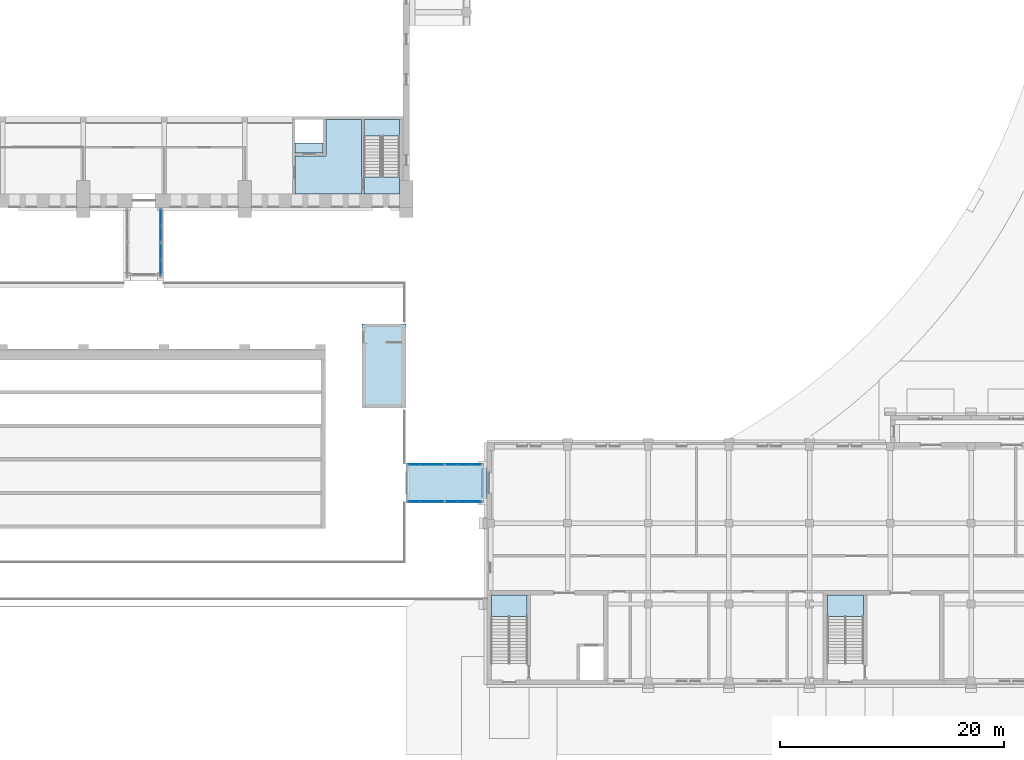
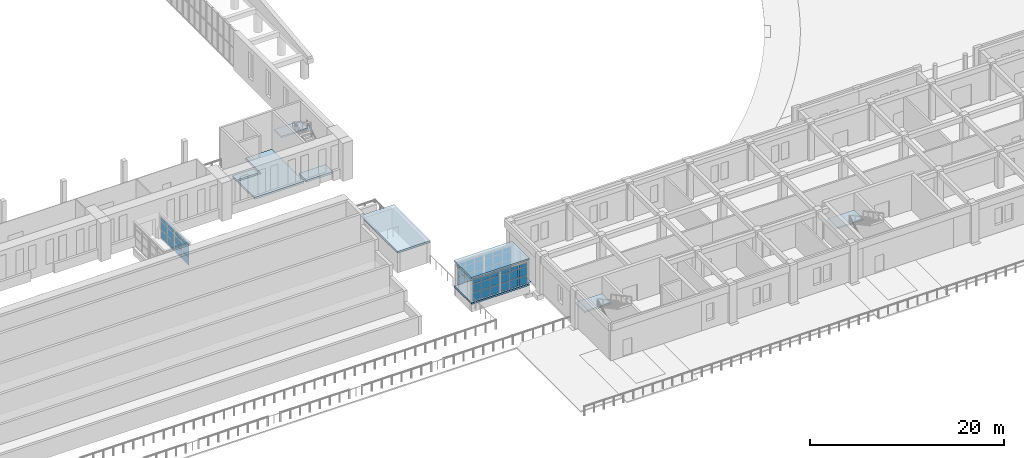
# One storey, part 68 of 131: 49 plates, 9 slabs, 9 elements without a shape of their own.
"""IFC4 building model written with IfcOpenShell, lengths in metres."""

from ifc_helpers import new_model, si_unit, direction, frame, origin, origin_2d, place, context, subcontext, project, spatial, polyline, rectangle, outline, extrude, material, layer, layer_set, type_object, element, aggregate, save


model = new_model("IFC4")

# Units and contexts
model_context = context("Model", 3, precision=1e-05, world=origin(), true_north=direction((0.0, 1.0)))
body_context = subcontext(model_context, "Body", "Model", "MODEL_VIEW")
ifc_project = project(units=[si_unit("LENGTHUNIT", "METRE"), si_unit("AREAUNIT", "SQUARE_METRE"), si_unit("VOLUMEUNIT", "CUBIC_METRE"), si_unit("PLANEANGLEUNIT", "RADIAN"), si_unit("MASSUNIT", "GRAM", prefix="KILO")], contexts=[model_context])

# Site, building, storey
site_placement = place(None, origin())
site = spatial("IfcSite", under=ifc_project, at=site_placement, CompositionType="ELEMENT")
building_placement = place(site_placement, origin())
building = spatial("IfcBuilding", under=site, at=building_placement, Name="Alderwick Market Hall", CompositionType="ELEMENT")
storey_placement = place(building_placement, frame((0.0, 0.0, 4.800048828125)))
storey = spatial("IfcBuildingStorey", under=building, at=storey_placement, Name="L00", CompositionType="ELEMENT", Elevation=4.800048828125)

# Slab
ifc_material_1 = material(Name="Concrete 4000 psi (f'c 28 MPa)", Category="concrete")
ifc_layer_1 = layer(ifc_material_1, 0.199951171875)
ifc_layer_set_1 = layer_set([ifc_layer_1], Name="Concrete 4000 psi (f'c 28 MPa)")
slab_type_1 = type_object("IfcSlabType", Name="A Head-house Roof Slab 200", PredefinedType="ROOF", material=ifc_layer_set_1)
slab_1_placement = place(storey_placement, frame((0.0, 0.0, 2.5)))
element("IfcSlab", 1, at=slab_1_placement, inside=storey, type_object=slab_type_1, Name="A.S.hh.E.roof", PredefinedType="ROOF", context=body_context, shape_type="SweptSolid", body=[
    extrude(outline(polyline([(147.25, 31.8798828125), (151.199951171875, 31.8798828125), (151.199951171875, 39.39990234375), (147.25, 39.39990234375), (147.25, 31.8798828125)])), origin(), (0.0, 0.0, 1.0), 0.199951171875),
])

# Stair, slab
ifc_material_2 = material(Name="Concrete 5000 psi (f'c 35 MPa)", Category="concrete")
stair_type_1 = type_object("IfcStairType", Name="C Exit Stair 1600", PredefinedType="HALF_TURN_STAIR", material=ifc_material_2)
stair_1_placement = place(storey_placement, origin())
stair_1 = element("IfcStair", 2, at=stair_1_placement, inside=storey, type_object=stair_type_1, Name="C.stair.L00.A", PredefinedType="HALF_TURN_STAIR")
ifc_layer_2 = layer(ifc_material_2, 0.199951171875)
ifc_layer_set_2 = layer_set([ifc_layer_2], Name="Concrete 5000 psi (f'c 35 MPa)")
slab_type_2 = type_object("IfcSlabType", Name="C Stair Landing Concrete 5000 psi 200", PredefinedType="LANDING", material=ifc_layer_set_2)
slab_2_placement = place(storey_placement, frame((0.0, 0.0, 2.199951171875)))
slab_2 = element("IfcSlab", 3, at=slab_2_placement, type_object=slab_type_2, Name="C-ST-A-L00 landing 1", PredefinedType="LANDING", context=body_context, shape_type="SweptSolid", body=[
    extrude(outline(polyline([(158.800048828125, 15.199951171875), (162.0, 15.199951171875), (162.0, 13.300048828125), (158.800048828125, 13.300048828125), (158.800048828125, 15.199951171875)])), origin(), (0.0, 0.0, 1.0), 0.199951171875),
])
aggregate(stair_1, [slab_2])

stair_2_placement = place(storey_placement, origin())
stair_2 = element("IfcStair", 4, at=stair_2_placement, inside=storey, type_object=stair_type_1, Name="C.stair.L00.B", PredefinedType="HALF_TURN_STAIR")
slab_3_placement = place(storey_placement, frame((0.0, 0.0, 2.199951171875)))
slab_3 = element("IfcSlab", 5, at=slab_3_placement, type_object=slab_type_2, Name="C-ST-B-L00 landing 1", PredefinedType="LANDING", context=body_context, shape_type="SweptSolid", body=[
    extrude(outline(polyline([(188.800048828125, 15.199951171875), (192.0, 15.199951171875), (192.0, 13.300048828125), (188.800048828125, 13.300048828125), (188.800048828125, 15.199951171875)])), origin(), (0.0, 0.0, 1.0), 0.199951171875),
])
aggregate(stair_2, [slab_3])

# Slabs
ifc_layer_3 = layer(ifc_material_1, 0.25)
ifc_layer_set_3 = layer_set([ifc_layer_3], Name="Concrete 4000 psi (f'c 28 MPa)")
slab_type_3 = type_object("IfcSlabType", Name="H Gallery slab 250", PredefinedType="FLOOR", material=ifc_layer_set_3)
slab_4_placement = place(storey_placement, frame((0.0, 0.0, -0.25)))
element("IfcSlab", 6, at=slab_4_placement, inside=storey, type_object=slab_type_3, Name="Core floor H-SE L00", PredefinedType="FLOOR", context=body_context, shape_type="SweptSolid", body=[
    extrude(outline(polyline([(150.60009765625, 51.0), (147.449951171875, 51.0), (147.449951171875, 52.5), (150.60009765625, 52.5), (150.60009765625, 51.0)])), origin(), (0.0, 0.0, 1.0), 0.25),
])
slab_5_placement = place(storey_placement, frame((0.0, 0.0, -0.25)))
element("IfcSlab", 7, at=slab_5_placement, inside=storey, type_object=slab_type_3, Name="Core floor H-SE L00", PredefinedType="FLOOR", context=body_context, shape_type="SweptSolid", body=[
    extrude(outline(polyline([(141.300048828125, 54.389892578125), (144.050048828125, 54.389892578125), (144.050048828125, 57.639892578125), (147.199951171875, 57.639892578125), (147.199951171875, 51.0), (141.300048828125, 51.0), (141.300048828125, 54.389892578125)])), origin(), (0.0, 0.0, 1.0), 0.25),
])
slab_6_placement = place(storey_placement, frame((0.0, 0.0, -0.25)))
element("IfcSlab", 8, at=slab_6_placement, inside=storey, type_object=slab_type_3, Name="Core floor H-SE L00", PredefinedType="FLOOR", context=body_context, shape_type="SweptSolid", body=[
    extrude(outline(polyline([(141.300048828125, 55.5400390625), (143.800048828125, 55.5400390625), (143.800048828125, 54.639892578125), (141.300048828125, 54.639892578125), (141.300048828125, 55.5400390625)])), origin(), (0.0, 0.0, 1.0), 0.25),
])

# Stair, slab
stair_type_2 = type_object("IfcStairType", Name="H Stair 1500", PredefinedType="HALF_TURN_STAIR", material=ifc_material_2)
stair_3_placement = place(storey_placement, origin())
stair_3 = element("IfcStair", 9, at=stair_3_placement, inside=storey, type_object=stair_type_2, Name="L00 Exit stair H-SE", PredefinedType="HALF_TURN_STAIR")
ifc_layer_4 = layer(ifc_material_1, 0.199951171875)
ifc_layer_set_4 = layer_set([ifc_layer_4], Name="Concrete 4000 psi (f'c 28 MPa)")
slab_type_4 = type_object("IfcSlabType", Name="H Stair landing 200", PredefinedType="LANDING", material=ifc_layer_set_4)
slab_7_placement = place(storey_placement, frame((0.0, 0.0, 2.199951171875)))
slab_7 = element("IfcSlab", 10, at=slab_7_placement, type_object=slab_type_4, Name="H-SE landing 1", PredefinedType="LANDING", context=body_context, shape_type="SweptSolid", body=[
    extrude(outline(polyline([(150.60009765625, 56.139892578125), (150.60009765625, 57.639892578125), (147.449951171875, 57.639892578125), (147.449951171875, 56.139892578125), (150.60009765625, 56.139892578125)])), origin(), (0.0, 0.0, 1.0), 0.199951171875),
])
aggregate(stair_3, [slab_7])

# Curtain wall, plates
ifc_material_3 = material(Name="Aluminium frame", Category="aluminium")
ifc_layer_5 = layer(ifc_material_3, 0.10009765625)
ifc_layer_set_5 = layer_set([ifc_layer_5], Name="Aluminium frame")
curtain_wall_type = type_object("IfcCurtainWallType", Name="P Curtain Wall 100", PredefinedType="NOTDEFINED", material=ifc_layer_set_5)
curtain_wall_1_placement = place(storey_placement, origin())
curtain_wall_1 = element("IfcCurtainWall", 11, at=curtain_wall_1_placement, inside=storey, type_object=curtain_wall_type, Name="P.P4.cw.b0", PredefinedType="NOTDEFINED")
ifc_material_4 = material(Name="Glass, low-e insulated glazing", Category="glass")
ifc_layer_6 = layer(ifc_material_4, 0.028076171875)
ifc_layer_set_6 = layer_set([ifc_layer_6], Name="Glass, low-e insulated glazing")
plate_type_1 = type_object("IfcPlateType", Name="P Glass Panel 28", PredefinedType="CURTAIN_PANEL", material=ifc_layer_set_6)
plate_1_placement = place(storey_placement, frame((129.300048828125, 44.41552734375, 0.06005859375), z_axis=(0.0, 0.0, 1.0), x_axis=(0.0, 1.0, 0.0)))
plate_1 = element("IfcPlate", 12, at=plate_1_placement, type_object=plate_type_1, Name="P-CW4b0 panel 1.1", PredefinedType="CURTAIN_PANEL", context=body_context, shape_type="SweptSolid", body=[
    extrude(rectangle(XDim=1.35888671875, YDim=0.028076171875, at=origin_2d()), origin(), (0.0, 0.0, 1.0), 1.010009765625),
])
plate_2_placement = place(storey_placement, frame((129.300048828125, 44.41552734375, 1.1298828125), z_axis=(0.0, 0.0, 1.0), x_axis=(0.0, 1.0, 0.0)))
plate_2 = element("IfcPlate", 13, at=plate_2_placement, type_object=plate_type_1, Name="P-CW4b0 panel 1.2", PredefinedType="CURTAIN_PANEL", context=body_context, shape_type="SweptSolid", body=[
    extrude(rectangle(XDim=1.35888671875, YDim=0.028076171875, at=origin_2d()), origin(), (0.0, 0.0, 1.0), 1.0400390625),
])
plate_3_placement = place(storey_placement, frame((129.300048828125, 44.41552734375, 2.22998046875), z_axis=(0.0, 0.0, 1.0), x_axis=(0.0, 1.0, 0.0)))
plate_3 = element("IfcPlate", 14, at=plate_3_placement, type_object=plate_type_1, Name="P-CW4b0 panel 1.3", PredefinedType="CURTAIN_PANEL", context=body_context, shape_type="SweptSolid", body=[
    extrude(rectangle(XDim=1.35888671875, YDim=0.028076171875, at=origin_2d()), origin(), (0.0, 0.0, 1.0), 0.462890625),
])
plate_4_placement = place(storey_placement, frame((129.300048828125, 45.83447265625, 0.06005859375), z_axis=(0.0, 0.0, 1.0), x_axis=(0.0, 1.0, 0.0)))
plate_4 = element("IfcPlate", 15, at=plate_4_placement, type_object=plate_type_1, Name="P-CW4b0 panel 2.1", PredefinedType="CURTAIN_PANEL", context=body_context, shape_type="SweptSolid", body=[
    extrude(rectangle(XDim=1.35888671875, YDim=0.028076171875, at=origin_2d()), origin(), (0.0, 0.0, 1.0), 1.010009765625),
])
plate_5_placement = place(storey_placement, frame((129.300048828125, 45.83447265625, 1.1298828125), z_axis=(0.0, 0.0, 1.0), x_axis=(0.0, 1.0, 0.0)))
plate_5 = element("IfcPlate", 16, at=plate_5_placement, type_object=plate_type_1, Name="P-CW4b0 panel 2.2", PredefinedType="CURTAIN_PANEL", context=body_context, shape_type="SweptSolid", body=[
    extrude(rectangle(XDim=1.35888671875, YDim=0.028076171875, at=origin_2d()), origin(), (0.0, 0.0, 1.0), 1.0400390625),
])
plate_6_placement = place(storey_placement, frame((129.300048828125, 45.83447265625, 2.22998046875), z_axis=(0.0, 0.0, 1.0), x_axis=(0.0, 1.0, 0.0)))
plate_6 = element("IfcPlate", 17, at=plate_6_placement, type_object=plate_type_1, Name="P-CW4b0 panel 2.3", PredefinedType="CURTAIN_PANEL", context=body_context, shape_type="SweptSolid", body=[
    extrude(rectangle(XDim=1.35888671875, YDim=0.028076171875, at=origin_2d()), origin(), (0.0, 0.0, 1.0), 0.462890625),
])
aggregate(curtain_wall_1, [plate_1, plate_2, plate_3, plate_4, plate_5, plate_6])

curtain_wall_2_placement = place(storey_placement, origin())
curtain_wall_2 = element("IfcCurtainWall", 18, at=curtain_wall_2_placement, inside=storey, type_object=curtain_wall_type, Name="P.P4.cw.b1", PredefinedType="NOTDEFINED")
plate_7_placement = place(storey_placement, frame((129.300048828125, 47.465576171875, 0.06005859375), z_axis=(0.0, 0.0, 1.0), x_axis=(0.0, 1.0, 0.0)))
plate_7 = element("IfcPlate", 19, at=plate_7_placement, type_object=plate_type_1, Name="P-CW4b1 panel 1.1", PredefinedType="CURTAIN_PANEL", context=body_context, shape_type="SweptSolid", body=[
    extrude(rectangle(XDim=1.35888671875, YDim=0.028076171875, at=origin_2d()), origin(), (0.0, 0.0, 1.0), 1.010009765625),
])
plate_8_placement = place(storey_placement, frame((129.300048828125, 47.465576171875, 1.1298828125), z_axis=(0.0, 0.0, 1.0), x_axis=(0.0, 1.0, 0.0)))
plate_8 = element("IfcPlate", 20, at=plate_8_placement, type_object=plate_type_1, Name="P-CW4b1 panel 1.2", PredefinedType="CURTAIN_PANEL", context=body_context, shape_type="SweptSolid", body=[
    extrude(rectangle(XDim=1.35888671875, YDim=0.028076171875, at=origin_2d()), origin(), (0.0, 0.0, 1.0), 1.0400390625),
])
plate_9_placement = place(storey_placement, frame((129.300048828125, 47.465576171875, 2.22998046875), z_axis=(0.0, 0.0, 1.0), x_axis=(0.0, 1.0, 0.0)))
plate_9 = element("IfcPlate", 21, at=plate_9_placement, type_object=plate_type_1, Name="P-CW4b1 panel 1.3", PredefinedType="CURTAIN_PANEL", context=body_context, shape_type="SweptSolid", body=[
    extrude(rectangle(XDim=1.35888671875, YDim=0.028076171875, at=origin_2d()), origin(), (0.0, 0.0, 1.0), 0.462890625),
])
plate_10_placement = place(storey_placement, frame((129.300048828125, 48.884521484375, 0.06005859375), z_axis=(0.0, 0.0, 1.0), x_axis=(0.0, 1.0, 0.0)))
plate_10 = element("IfcPlate", 22, at=plate_10_placement, type_object=plate_type_1, Name="P-CW4b1 panel 2.1", PredefinedType="CURTAIN_PANEL", context=body_context, shape_type="SweptSolid", body=[
    extrude(rectangle(XDim=1.35888671875, YDim=0.028076171875, at=origin_2d()), origin(), (0.0, 0.0, 1.0), 1.010009765625),
])
plate_11_placement = place(storey_placement, frame((129.300048828125, 48.884521484375, 1.1298828125), z_axis=(0.0, 0.0, 1.0), x_axis=(0.0, 1.0, 0.0)))
plate_11 = element("IfcPlate", 23, at=plate_11_placement, type_object=plate_type_1, Name="P-CW4b1 panel 2.2", PredefinedType="CURTAIN_PANEL", context=body_context, shape_type="SweptSolid", body=[
    extrude(rectangle(XDim=1.35888671875, YDim=0.028076171875, at=origin_2d()), origin(), (0.0, 0.0, 1.0), 1.0400390625),
])
plate_12_placement = place(storey_placement, frame((129.300048828125, 48.884521484375, 2.22998046875), z_axis=(0.0, 0.0, 1.0), x_axis=(0.0, 1.0, 0.0)))
plate_12 = element("IfcPlate", 24, at=plate_12_placement, type_object=plate_type_1, Name="P-CW4b1 panel 2.3", PredefinedType="CURTAIN_PANEL", context=body_context, shape_type="SweptSolid", body=[
    extrude(rectangle(XDim=1.35888671875, YDim=0.028076171875, at=origin_2d()), origin(), (0.0, 0.0, 1.0), 0.462890625),
])
aggregate(curtain_wall_2, [plate_7, plate_8, plate_9, plate_10, plate_11, plate_12])

curtain_wall_3_placement = place(storey_placement, origin())
curtain_wall_3 = element("IfcCurtainWall", 25, at=curtain_wall_3_placement, inside=storey, type_object=curtain_wall_type, Name="P.P10.cw.a0", PredefinedType="NOTDEFINED")
plate_13_placement = place(storey_placement, frame((151.924072265625, 23.550048828125, 0.06005859375), z_axis=(0.0, 0.0, 1.0), x_axis=(1.0, 0.0, 0.0)))
plate_13 = element("IfcPlate", 26, at=plate_13_placement, type_object=plate_type_1, Name="P-CW10a0 panel 1.1", PredefinedType="CURTAIN_PANEL", context=body_context, shape_type="SweptSolid", body=[
    extrude(rectangle(XDim=0.97607421875, YDim=0.028076171875, at=origin_2d()), origin(), (0.0, 0.0, 1.0), 1.010009765625),
])
plate_14_placement = place(storey_placement, frame((151.924072265625, 23.550048828125, 1.1298828125), z_axis=(0.0, 0.0, 1.0), x_axis=(1.0, 0.0, 0.0)))
plate_14 = element("IfcPlate", 27, at=plate_14_placement, type_object=plate_type_1, Name="P-CW10a0 panel 1.2", PredefinedType="CURTAIN_PANEL", context=body_context, shape_type="SweptSolid", body=[
    extrude(rectangle(XDim=0.97607421875, YDim=0.028076171875, at=origin_2d()), origin(), (0.0, 0.0, 1.0), 1.0400390625),
])
plate_15_placement = place(storey_placement, frame((151.924072265625, 23.550048828125, 2.22998046875), z_axis=(0.0, 0.0, 1.0), x_axis=(1.0, 0.0, 0.0)))
plate_15 = element("IfcPlate", 28, at=plate_15_placement, type_object=plate_type_1, Name="P-CW10a0 panel 1.3", PredefinedType="CURTAIN_PANEL", context=body_context, shape_type="SweptSolid", body=[
    extrude(rectangle(XDim=0.97607421875, YDim=0.028076171875, at=origin_2d()), origin(), (0.0, 0.0, 1.0), 0.462890625),
])
plate_16_placement = place(storey_placement, frame((152.97509765625, 23.550048828125, 0.06005859375), z_axis=(0.0, 0.0, 1.0), x_axis=(1.0, 0.0, 0.0)))
plate_16 = element("IfcPlate", 29, at=plate_16_placement, type_object=plate_type_1, Name="P-CW10a0 panel 2.1", PredefinedType="CURTAIN_PANEL", context=body_context, shape_type="SweptSolid", body=[
    extrude(rectangle(XDim=1.006103515625, YDim=0.028076171875, at=origin_2d()), origin(), (0.0, 0.0, 1.0), 1.010009765625),
])
plate_17_placement = place(storey_placement, frame((152.97509765625, 23.550048828125, 1.1298828125), z_axis=(0.0, 0.0, 1.0), x_axis=(1.0, 0.0, 0.0)))
plate_17 = element("IfcPlate", 30, at=plate_17_placement, type_object=plate_type_1, Name="P-CW10a0 panel 2.2", PredefinedType="CURTAIN_PANEL", context=body_context, shape_type="SweptSolid", body=[
    extrude(rectangle(XDim=1.006103515625, YDim=0.028076171875, at=origin_2d()), origin(), (0.0, 0.0, 1.0), 1.0400390625),
])
plate_18_placement = place(storey_placement, frame((152.97509765625, 23.550048828125, 2.22998046875), z_axis=(0.0, 0.0, 1.0), x_axis=(1.0, 0.0, 0.0)))
plate_18 = element("IfcPlate", 31, at=plate_18_placement, type_object=plate_type_1, Name="P-CW10a0 panel 2.3", PredefinedType="CURTAIN_PANEL", context=body_context, shape_type="SweptSolid", body=[
    extrude(rectangle(XDim=1.006103515625, YDim=0.028076171875, at=origin_2d()), origin(), (0.0, 0.0, 1.0), 0.462890625),
])
plate_19_placement = place(storey_placement, frame((154.02587890625, 23.550048828125, 0.06005859375), z_axis=(0.0, 0.0, 1.0), x_axis=(1.0, 0.0, 0.0)))
plate_19 = element("IfcPlate", 32, at=plate_19_placement, type_object=plate_type_1, Name="P-CW10a0 panel 3.1", PredefinedType="CURTAIN_PANEL", context=body_context, shape_type="SweptSolid", body=[
    extrude(rectangle(XDim=0.97607421875, YDim=0.028076171875, at=origin_2d()), origin(), (0.0, 0.0, 1.0), 1.010009765625),
])
plate_20_placement = place(storey_placement, frame((154.02587890625, 23.550048828125, 1.1298828125), z_axis=(0.0, 0.0, 1.0), x_axis=(1.0, 0.0, 0.0)))
plate_20 = element("IfcPlate", 33, at=plate_20_placement, type_object=plate_type_1, Name="P-CW10a0 panel 3.2", PredefinedType="CURTAIN_PANEL", context=body_context, shape_type="SweptSolid", body=[
    extrude(rectangle(XDim=0.97607421875, YDim=0.028076171875, at=origin_2d()), origin(), (0.0, 0.0, 1.0), 1.0400390625),
])
plate_21_placement = place(storey_placement, frame((154.02587890625, 23.550048828125, 2.22998046875), z_axis=(0.0, 0.0, 1.0), x_axis=(1.0, 0.0, 0.0)))
plate_21 = element("IfcPlate", 34, at=plate_21_placement, type_object=plate_type_1, Name="P-CW10a0 panel 3.3", PredefinedType="CURTAIN_PANEL", context=body_context, shape_type="SweptSolid", body=[
    extrude(rectangle(XDim=0.97607421875, YDim=0.028076171875, at=origin_2d()), origin(), (0.0, 0.0, 1.0), 0.462890625),
])
aggregate(curtain_wall_3, [plate_13, plate_14, plate_15, plate_16, plate_17, plate_18, plate_19, plate_20, plate_21])

curtain_wall_4_placement = place(storey_placement, origin())
curtain_wall_4 = element("IfcCurtainWall", 35, at=curtain_wall_4_placement, inside=storey, type_object=curtain_wall_type, Name="P.P10.cw.a1", PredefinedType="NOTDEFINED")
plate_22_placement = place(storey_placement, frame((155.27392578125, 23.550048828125, 0.06005859375), z_axis=(0.0, 0.0, 1.0), x_axis=(1.0, 0.0, 0.0)))
plate_22 = element("IfcPlate", 36, at=plate_22_placement, type_object=plate_type_1, Name="P-CW10a1 panel 1.1", PredefinedType="CURTAIN_PANEL", context=body_context, shape_type="SweptSolid", body=[
    extrude(rectangle(XDim=0.97607421875, YDim=0.028076171875, at=origin_2d()), origin(), (0.0, 0.0, 1.0), 1.010009765625),
])
plate_23_placement = place(storey_placement, frame((155.27392578125, 23.550048828125, 1.1298828125), z_axis=(0.0, 0.0, 1.0), x_axis=(1.0, 0.0, 0.0)))
plate_23 = element("IfcPlate", 37, at=plate_23_placement, type_object=plate_type_1, Name="P-CW10a1 panel 1.2", PredefinedType="CURTAIN_PANEL", context=body_context, shape_type="SweptSolid", body=[
    extrude(rectangle(XDim=0.97607421875, YDim=0.028076171875, at=origin_2d()), origin(), (0.0, 0.0, 1.0), 1.0400390625),
])
plate_24_placement = place(storey_placement, frame((155.27392578125, 23.550048828125, 2.22998046875), z_axis=(0.0, 0.0, 1.0), x_axis=(1.0, 0.0, 0.0)))
plate_24 = element("IfcPlate", 38, at=plate_24_placement, type_object=plate_type_1, Name="P-CW10a1 panel 1.3", PredefinedType="CURTAIN_PANEL", context=body_context, shape_type="SweptSolid", body=[
    extrude(rectangle(XDim=0.97607421875, YDim=0.028076171875, at=origin_2d()), origin(), (0.0, 0.0, 1.0), 0.462890625),
])
plate_25_placement = place(storey_placement, frame((156.324951171875, 23.550048828125, 0.06005859375), z_axis=(0.0, 0.0, 1.0), x_axis=(1.0, 0.0, 0.0)))
plate_25 = element("IfcPlate", 39, at=plate_25_placement, type_object=plate_type_1, Name="P-CW10a1 panel 2.1", PredefinedType="CURTAIN_PANEL", context=body_context, shape_type="SweptSolid", body=[
    extrude(rectangle(XDim=1.006103515625, YDim=0.028076171875, at=origin_2d()), origin(), (0.0, 0.0, 1.0), 1.010009765625),
])
plate_26_placement = place(storey_placement, frame((156.324951171875, 23.550048828125, 1.1298828125), z_axis=(0.0, 0.0, 1.0), x_axis=(1.0, 0.0, 0.0)))
plate_26 = element("IfcPlate", 40, at=plate_26_placement, type_object=plate_type_1, Name="P-CW10a1 panel 2.2", PredefinedType="CURTAIN_PANEL", context=body_context, shape_type="SweptSolid", body=[
    extrude(rectangle(XDim=1.006103515625, YDim=0.028076171875, at=origin_2d()), origin(), (0.0, 0.0, 1.0), 1.0400390625),
])
plate_27_placement = place(storey_placement, frame((156.324951171875, 23.550048828125, 2.22998046875), z_axis=(0.0, 0.0, 1.0), x_axis=(1.0, 0.0, 0.0)))
plate_27 = element("IfcPlate", 41, at=plate_27_placement, type_object=plate_type_1, Name="P-CW10a1 panel 2.3", PredefinedType="CURTAIN_PANEL", context=body_context, shape_type="SweptSolid", body=[
    extrude(rectangle(XDim=1.006103515625, YDim=0.028076171875, at=origin_2d()), origin(), (0.0, 0.0, 1.0), 0.462890625),
])
plate_28_placement = place(storey_placement, frame((157.3759765625, 23.550048828125, 0.06005859375), z_axis=(0.0, 0.0, 1.0), x_axis=(1.0, 0.0, 0.0)))
plate_28 = element("IfcPlate", 42, at=plate_28_placement, type_object=plate_type_1, Name="P-CW10a1 panel 3.1", PredefinedType="CURTAIN_PANEL", context=body_context, shape_type="SweptSolid", body=[
    extrude(rectangle(XDim=0.97607421875, YDim=0.028076171875, at=origin_2d()), origin(), (0.0, 0.0, 1.0), 1.010009765625),
])
plate_29_placement = place(storey_placement, frame((157.3759765625, 23.550048828125, 1.1298828125), z_axis=(0.0, 0.0, 1.0), x_axis=(1.0, 0.0, 0.0)))
plate_29 = element("IfcPlate", 43, at=plate_29_placement, type_object=plate_type_1, Name="P-CW10a1 panel 3.2", PredefinedType="CURTAIN_PANEL", context=body_context, shape_type="SweptSolid", body=[
    extrude(rectangle(XDim=0.97607421875, YDim=0.028076171875, at=origin_2d()), origin(), (0.0, 0.0, 1.0), 1.0400390625),
])
plate_30_placement = place(storey_placement, frame((157.3759765625, 23.550048828125, 2.22998046875), z_axis=(0.0, 0.0, 1.0), x_axis=(1.0, 0.0, 0.0)))
plate_30 = element("IfcPlate", 44, at=plate_30_placement, type_object=plate_type_1, Name="P-CW10a1 panel 3.3", PredefinedType="CURTAIN_PANEL", context=body_context, shape_type="SweptSolid", body=[
    extrude(rectangle(XDim=0.97607421875, YDim=0.028076171875, at=origin_2d()), origin(), (0.0, 0.0, 1.0), 0.462890625),
])
aggregate(curtain_wall_4, [plate_22, plate_23, plate_24, plate_25, plate_26, plate_27, plate_28, plate_29, plate_30])

curtain_wall_5_placement = place(storey_placement, origin())
curtain_wall_5 = element("IfcCurtainWall", 45, at=curtain_wall_5_placement, inside=storey, type_object=curtain_wall_type, Name="P.P10.cw.b0", PredefinedType="NOTDEFINED")
plate_31_placement = place(storey_placement, frame((151.924072265625, 26.85009765625, 0.06005859375), z_axis=(0.0, 0.0, 1.0), x_axis=(1.0, 0.0, 0.0)))
plate_31 = element("IfcPlate", 46, at=plate_31_placement, type_object=plate_type_1, Name="P-CW10b0 panel 1.1", PredefinedType="CURTAIN_PANEL", context=body_context, shape_type="SweptSolid", body=[
    extrude(rectangle(XDim=0.97607421875, YDim=0.028076171875, at=origin_2d()), origin(), (0.0, 0.0, 1.0), 1.010009765625),
])
plate_32_placement = place(storey_placement, frame((151.924072265625, 26.85009765625, 1.1298828125), z_axis=(0.0, 0.0, 1.0), x_axis=(1.0, 0.0, 0.0)))
plate_32 = element("IfcPlate", 47, at=plate_32_placement, type_object=plate_type_1, Name="P-CW10b0 panel 1.2", PredefinedType="CURTAIN_PANEL", context=body_context, shape_type="SweptSolid", body=[
    extrude(rectangle(XDim=0.97607421875, YDim=0.028076171875, at=origin_2d()), origin(), (0.0, 0.0, 1.0), 1.0400390625),
])
plate_33_placement = place(storey_placement, frame((151.924072265625, 26.85009765625, 2.22998046875), z_axis=(0.0, 0.0, 1.0), x_axis=(1.0, 0.0, 0.0)))
plate_33 = element("IfcPlate", 48, at=plate_33_placement, type_object=plate_type_1, Name="P-CW10b0 panel 1.3", PredefinedType="CURTAIN_PANEL", context=body_context, shape_type="SweptSolid", body=[
    extrude(rectangle(XDim=0.97607421875, YDim=0.028076171875, at=origin_2d()), origin(), (0.0, 0.0, 1.0), 0.462890625),
])
plate_34_placement = place(storey_placement, frame((152.97509765625, 26.85009765625, 0.06005859375), z_axis=(0.0, 0.0, 1.0), x_axis=(1.0, 0.0, 0.0)))
plate_34 = element("IfcPlate", 49, at=plate_34_placement, type_object=plate_type_1, Name="P-CW10b0 panel 2.1", PredefinedType="CURTAIN_PANEL", context=body_context, shape_type="SweptSolid", body=[
    extrude(rectangle(XDim=1.006103515625, YDim=0.028076171875, at=origin_2d()), origin(), (0.0, 0.0, 1.0), 1.010009765625),
])
plate_35_placement = place(storey_placement, frame((152.97509765625, 26.85009765625, 1.1298828125), z_axis=(0.0, 0.0, 1.0), x_axis=(1.0, 0.0, 0.0)))
plate_35 = element("IfcPlate", 50, at=plate_35_placement, type_object=plate_type_1, Name="P-CW10b0 panel 2.2", PredefinedType="CURTAIN_PANEL", context=body_context, shape_type="SweptSolid", body=[
    extrude(rectangle(XDim=1.006103515625, YDim=0.028076171875, at=origin_2d()), origin(), (0.0, 0.0, 1.0), 1.0400390625),
])
plate_36_placement = place(storey_placement, frame((152.97509765625, 26.85009765625, 2.22998046875), z_axis=(0.0, 0.0, 1.0), x_axis=(1.0, 0.0, 0.0)))
plate_36 = element("IfcPlate", 51, at=plate_36_placement, type_object=plate_type_1, Name="P-CW10b0 panel 2.3", PredefinedType="CURTAIN_PANEL", context=body_context, shape_type="SweptSolid", body=[
    extrude(rectangle(XDim=1.006103515625, YDim=0.028076171875, at=origin_2d()), origin(), (0.0, 0.0, 1.0), 0.462890625),
])
plate_37_placement = place(storey_placement, frame((154.02587890625, 26.85009765625, 0.06005859375), z_axis=(0.0, 0.0, 1.0), x_axis=(1.0, 0.0, 0.0)))
plate_37 = element("IfcPlate", 52, at=plate_37_placement, type_object=plate_type_1, Name="P-CW10b0 panel 3.1", PredefinedType="CURTAIN_PANEL", context=body_context, shape_type="SweptSolid", body=[
    extrude(rectangle(XDim=0.97607421875, YDim=0.028076171875, at=origin_2d()), origin(), (0.0, 0.0, 1.0), 1.010009765625),
])
plate_38_placement = place(storey_placement, frame((154.02587890625, 26.85009765625, 1.1298828125), z_axis=(0.0, 0.0, 1.0), x_axis=(1.0, 0.0, 0.0)))
plate_38 = element("IfcPlate", 53, at=plate_38_placement, type_object=plate_type_1, Name="P-CW10b0 panel 3.2", PredefinedType="CURTAIN_PANEL", context=body_context, shape_type="SweptSolid", body=[
    extrude(rectangle(XDim=0.97607421875, YDim=0.028076171875, at=origin_2d()), origin(), (0.0, 0.0, 1.0), 1.0400390625),
])
plate_39_placement = place(storey_placement, frame((154.02587890625, 26.85009765625, 2.22998046875), z_axis=(0.0, 0.0, 1.0), x_axis=(1.0, 0.0, 0.0)))
plate_39 = element("IfcPlate", 54, at=plate_39_placement, type_object=plate_type_1, Name="P-CW10b0 panel 3.3", PredefinedType="CURTAIN_PANEL", context=body_context, shape_type="SweptSolid", body=[
    extrude(rectangle(XDim=0.97607421875, YDim=0.028076171875, at=origin_2d()), origin(), (0.0, 0.0, 1.0), 0.462890625),
])
aggregate(curtain_wall_5, [plate_31, plate_32, plate_33, plate_34, plate_35, plate_36, plate_37, plate_38, plate_39])

curtain_wall_6_placement = place(storey_placement, origin())
curtain_wall_6 = element("IfcCurtainWall", 55, at=curtain_wall_6_placement, inside=storey, type_object=curtain_wall_type, Name="P.P10.cw.b1", PredefinedType="NOTDEFINED")
plate_40_placement = place(storey_placement, frame((155.27392578125, 26.85009765625, 0.06005859375), z_axis=(0.0, 0.0, 1.0), x_axis=(1.0, 0.0, 0.0)))
plate_40 = element("IfcPlate", 56, at=plate_40_placement, type_object=plate_type_1, Name="P-CW10b1 panel 1.1", PredefinedType="CURTAIN_PANEL", context=body_context, shape_type="SweptSolid", body=[
    extrude(rectangle(XDim=0.97607421875, YDim=0.028076171875, at=origin_2d()), origin(), (0.0, 0.0, 1.0), 1.010009765625),
])
plate_41_placement = place(storey_placement, frame((155.27392578125, 26.85009765625, 1.1298828125), z_axis=(0.0, 0.0, 1.0), x_axis=(1.0, 0.0, 0.0)))
plate_41 = element("IfcPlate", 57, at=plate_41_placement, type_object=plate_type_1, Name="P-CW10b1 panel 1.2", PredefinedType="CURTAIN_PANEL", context=body_context, shape_type="SweptSolid", body=[
    extrude(rectangle(XDim=0.97607421875, YDim=0.028076171875, at=origin_2d()), origin(), (0.0, 0.0, 1.0), 1.0400390625),
])
plate_42_placement = place(storey_placement, frame((155.27392578125, 26.85009765625, 2.22998046875), z_axis=(0.0, 0.0, 1.0), x_axis=(1.0, 0.0, 0.0)))
plate_42 = element("IfcPlate", 58, at=plate_42_placement, type_object=plate_type_1, Name="P-CW10b1 panel 1.3", PredefinedType="CURTAIN_PANEL", context=body_context, shape_type="SweptSolid", body=[
    extrude(rectangle(XDim=0.97607421875, YDim=0.028076171875, at=origin_2d()), origin(), (0.0, 0.0, 1.0), 0.462890625),
])
plate_43_placement = place(storey_placement, frame((156.324951171875, 26.85009765625, 0.06005859375), z_axis=(0.0, 0.0, 1.0), x_axis=(1.0, 0.0, 0.0)))
plate_43 = element("IfcPlate", 59, at=plate_43_placement, type_object=plate_type_1, Name="P-CW10b1 panel 2.1", PredefinedType="CURTAIN_PANEL", context=body_context, shape_type="SweptSolid", body=[
    extrude(rectangle(XDim=1.006103515625, YDim=0.028076171875, at=origin_2d()), origin(), (0.0, 0.0, 1.0), 1.010009765625),
])
plate_44_placement = place(storey_placement, frame((156.324951171875, 26.85009765625, 1.1298828125), z_axis=(0.0, 0.0, 1.0), x_axis=(1.0, 0.0, 0.0)))
plate_44 = element("IfcPlate", 60, at=plate_44_placement, type_object=plate_type_1, Name="P-CW10b1 panel 2.2", PredefinedType="CURTAIN_PANEL", context=body_context, shape_type="SweptSolid", body=[
    extrude(rectangle(XDim=1.006103515625, YDim=0.028076171875, at=origin_2d()), origin(), (0.0, 0.0, 1.0), 1.0400390625),
])
plate_45_placement = place(storey_placement, frame((156.324951171875, 26.85009765625, 2.22998046875), z_axis=(0.0, 0.0, 1.0), x_axis=(1.0, 0.0, 0.0)))
plate_45 = element("IfcPlate", 61, at=plate_45_placement, type_object=plate_type_1, Name="P-CW10b1 panel 2.3", PredefinedType="CURTAIN_PANEL", context=body_context, shape_type="SweptSolid", body=[
    extrude(rectangle(XDim=1.006103515625, YDim=0.028076171875, at=origin_2d()), origin(), (0.0, 0.0, 1.0), 0.462890625),
])
plate_46_placement = place(storey_placement, frame((157.3759765625, 26.85009765625, 0.06005859375), z_axis=(0.0, 0.0, 1.0), x_axis=(1.0, 0.0, 0.0)))
plate_46 = element("IfcPlate", 62, at=plate_46_placement, type_object=plate_type_1, Name="P-CW10b1 panel 3.1", PredefinedType="CURTAIN_PANEL", context=body_context, shape_type="SweptSolid", body=[
    extrude(rectangle(XDim=0.97607421875, YDim=0.028076171875, at=origin_2d()), origin(), (0.0, 0.0, 1.0), 1.010009765625),
])
plate_47_placement = place(storey_placement, frame((157.3759765625, 26.85009765625, 1.1298828125), z_axis=(0.0, 0.0, 1.0), x_axis=(1.0, 0.0, 0.0)))
plate_47 = element("IfcPlate", 63, at=plate_47_placement, type_object=plate_type_1, Name="P-CW10b1 panel 3.2", PredefinedType="CURTAIN_PANEL", context=body_context, shape_type="SweptSolid", body=[
    extrude(rectangle(XDim=0.97607421875, YDim=0.028076171875, at=origin_2d()), origin(), (0.0, 0.0, 1.0), 1.0400390625),
])
plate_48_placement = place(storey_placement, frame((157.3759765625, 26.85009765625, 2.22998046875), z_axis=(0.0, 0.0, 1.0), x_axis=(1.0, 0.0, 0.0)))
plate_48 = element("IfcPlate", 64, at=plate_48_placement, type_object=plate_type_1, Name="P-CW10b1 panel 3.3", PredefinedType="CURTAIN_PANEL", context=body_context, shape_type="SweptSolid", body=[
    extrude(rectangle(XDim=0.97607421875, YDim=0.028076171875, at=origin_2d()), origin(), (0.0, 0.0, 1.0), 0.462890625),
])
aggregate(curtain_wall_6, [plate_40, plate_41, plate_42, plate_43, plate_44, plate_45, plate_46, plate_47, plate_48])

# Plate
ifc_material_5 = material(Name="Stainless steel plate, grade 316", Category="steel")
ifc_layer_7 = layer(ifc_material_5, 0.011962890625)
ifc_layer_set_7 = layer_set([ifc_layer_7], Name="Stainless steel plate, grade 316")
plate_type_2 = type_object("IfcPlateType", Name="P Joint Cover Plate 12", PredefinedType="SHEET", material=ifc_layer_set_7)
plate_49_placement = place(storey_placement, frame((158.175048828125, 25.199951171875, 0.0), z_axis=(0.0, 0.0, 1.0), x_axis=(1.0, 0.0, 0.0)))
element("IfcPlate", 65, at=plate_49_placement, inside=storey, type_object=plate_type_2, Name="Threshold cover plate", PredefinedType="SHEET", context=body_context, shape_type="SweptSolid", body=[
    extrude(rectangle(XDim=0.449951171875, YDim=3.14794921875, at=origin_2d()), origin(), (0.0, 0.0, 1.0), 0.011962890625),
])

# Slabs
ifc_layer_8 = layer(ifc_material_1, 0.199951171875)
ifc_layer_set_8 = layer_set([ifc_layer_8], Name="Concrete 4000 psi (f'c 28 MPa)")
slab_type_5 = type_object("IfcSlabType", Name="P Passage Roof Deck 200", PredefinedType="ROOF", material=ifc_layer_set_8)
slab_8_placement = place(storey_placement, frame((0.0, 0.0, 3.0)))
element("IfcSlab", 66, at=slab_8_placement, inside=storey, type_object=slab_type_5, Name="P.P10.roof", PredefinedType="ROOF", context=body_context, shape_type="SweptSolid", body=[
    extrude(outline(polyline([(151.199951171875, 23.39990234375), (158.10009765625, 23.39990234375), (158.10009765625, 27.0), (151.199951171875, 27.0), (151.199951171875, 23.39990234375)])), origin(), (0.0, 0.0, 1.0), 0.199951171875),
])
ifc_layer_9 = layer(ifc_material_1, 0.199951171875)
ifc_layer_set_9 = layer_set([ifc_layer_9], Name="Concrete 4000 psi (f'c 28 MPa)")
slab_type_6 = type_object("IfcSlabType", Name="P RC Passage Deck 200", PredefinedType="FLOOR", material=ifc_layer_set_9)
slab_9_placement = place(storey_placement, frame((0.0, 0.0, -0.199951171875)))
element("IfcSlab", 67, at=slab_9_placement, inside=storey, type_object=slab_type_6, Name="P.P10.deck", PredefinedType="FLOOR", context=body_context, shape_type="SweptSolid", body=[
    extrude(outline(polyline([(151.199951171875, 23.39990234375), (158.10009765625, 23.39990234375), (158.10009765625, 27.0), (151.199951171875, 27.0), (151.199951171875, 23.39990234375)])), origin(), (0.0, 0.0, 1.0), 0.199951171875),
])

save(model, "model.ifc")
